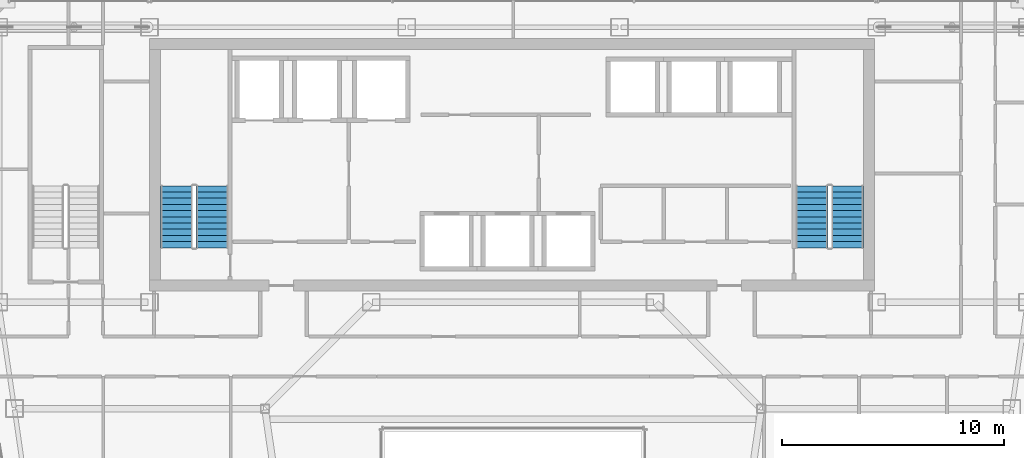
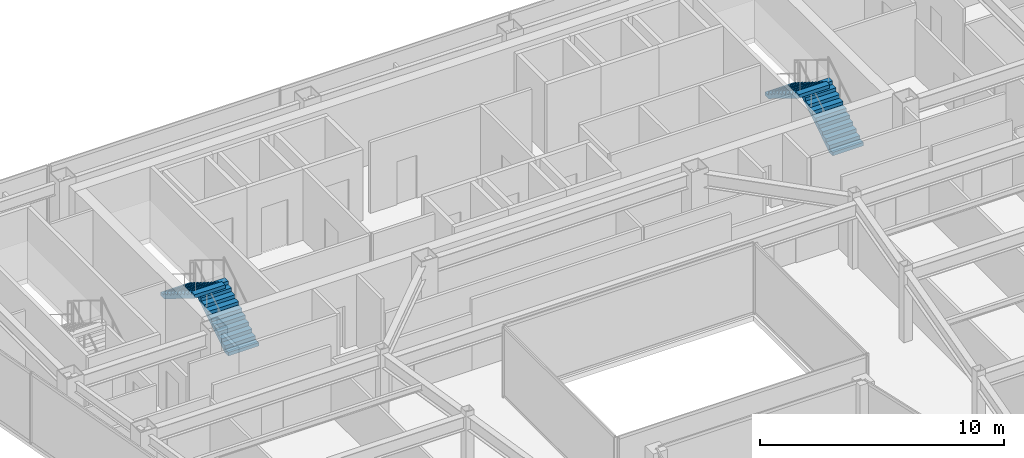
# One storey, part 33 of 36: 4 stair flights, 2 elements without a shape of their own.
"""IFC4 building model written with IfcOpenShell, lengths in metres."""

from ifc_helpers import new_model, si_unit, direction, frame, origin, place, context, subcontext, project, spatial, polyline, outline, extrude, material, type_object, element, aggregate, save


model = new_model("IFC4")

# Units and contexts
model_context = context("Model", 3, precision=1e-05, world=origin(), true_north=direction((0.0, 1.0)))
body_context = subcontext(model_context, "Body", "Model", "MODEL_VIEW")
ifc_project = project(units=[si_unit("LENGTHUNIT", "METRE"), si_unit("AREAUNIT", "SQUARE_METRE"), si_unit("VOLUMEUNIT", "CUBIC_METRE"), si_unit("PLANEANGLEUNIT", "RADIAN"), si_unit("MASSUNIT", "GRAM", prefix="KILO")], contexts=[model_context])

# Site, building, storey
site_placement = place(None, origin())
site = spatial("IfcSite", under=ifc_project, at=site_placement, CompositionType="ELEMENT")
building_placement = place(site_placement, origin())
building = spatial("IfcBuilding", under=site, at=building_placement, Name="Saevonmaru Cultural Tower", CompositionType="ELEMENT")
storey_placement = place(building_placement, frame((0.0, 0.0, 201.800048828125)))
storey = spatial("IfcBuildingStorey", under=building, at=storey_placement, Name="L46", CompositionType="ELEMENT", Elevation=201.800048828125)

# Stair, stair flights
ifc_material_1 = material(Name="Concrete C40/50", Category="concrete")
stair_type = type_object("IfcStairType", Name="STR-DOGLEG-RC", PredefinedType="HALF_TURN_STAIR", material=ifc_material_1)
stair_1_placement = place(storey_placement, origin())
stair_1 = element("IfcStair", 1, at=stair_1_placement, inside=storey, type_object=stair_type, Name="L46 Protected exit stair ST-1", PredefinedType="HALF_TURN_STAIR")
ifc_material_2 = material(Name="Precast concrete C40/50", Category="concrete")
stair_flight_type = type_object("IfcStairFlightType", Name="STF-PRECAST-180", PredefinedType="STRAIGHT", material=ifc_material_2)
stair_flight_1_placement = place(storey_placement, frame((16.425048828125, 44.85009765625, 0.0), z_axis=(0.0, 0.0, 1.0), x_axis=(0.0, 1.0, 0.0)))
stair_flight_1 = element("IfcStairFlight", 2, at=stair_flight_1_placement, type_object=stair_flight_type, Name="ST-1-L46 flight 1", NumberOfRisers=11, NumberOfTreads=10, PredefinedType="STRAIGHT", RiserHeight=0.172727273, TreadLength=0.28, context=body_context, shape_type="SweptSolid", body=[
    extrude(outline(polyline([(0.0, 0.0), (0.0, 0.172607421875), (0.280029296875, 0.172607421875), (0.280029296875, 0.345458984375), (0.56005859375, 0.345458984375), (0.56005859375, 0.51806640625), (0.840087890625, 0.51806640625), (0.840087890625, 0.69091796875), (1.1201171875, 0.69091796875), (1.1201171875, 0.863525390625), (1.39990234375, 0.863525390625), (1.39990234375, 1.036376953125), (1.679931640625, 1.036376953125), (1.679931640625, 1.208984375), (1.9599609375, 1.208984375), (1.9599609375, 1.3818359375), (2.239990234375, 1.3818359375), (2.239990234375, 1.554443359375), (2.52001953125, 1.554443359375), (2.52001953125, 1.727294921875), (2.800048828125, 1.727294921875), (2.800048828125, 1.89990234375), (2.800048828125, 1.551025390625), (0.285400390625, 0.0), (0.0, 0.0)])), frame((0.0, 0.72509765625, 0.0), z_axis=(0.0, -1.0, 0.0), x_axis=(1.0, 0.0, 0.0)), (0.0, 0.0, 1.0), 1.449951171875),
])
stair_flight_2_placement = place(storey_placement, frame((14.824951171875, 47.64990234375, 1.89990234375), z_axis=(0.0, 0.0, 1.0), x_axis=(0.0, -1.0, 0.0)))
stair_flight_2 = element("IfcStairFlight", 3, at=stair_flight_2_placement, type_object=stair_flight_type, Name="ST-1-L46 flight 2", NumberOfRisers=11, NumberOfTreads=10, PredefinedType="STRAIGHT", RiserHeight=0.172727273, TreadLength=0.28, context=body_context, shape_type="SweptSolid", body=[
    extrude(outline(polyline([(0.0, 0.0), (0.0, 0.172607421875), (0.280029296875, 0.172607421875), (0.280029296875, 0.345458984375), (0.56005859375, 0.345458984375), (0.56005859375, 0.51806640625), (0.840087890625, 0.51806640625), (0.840087890625, 0.69091796875), (1.1201171875, 0.69091796875), (1.1201171875, 0.863525390625), (1.39990234375, 0.863525390625), (1.39990234375, 1.036376953125), (1.679931640625, 1.036376953125), (1.679931640625, 1.208984375), (1.9599609375, 1.208984375), (1.9599609375, 1.3818359375), (2.239990234375, 1.3818359375), (2.239990234375, 1.554443359375), (2.52001953125, 1.554443359375), (2.52001953125, 1.727294921875), (2.800048828125, 1.727294921875), (2.800048828125, 1.89990234375), (2.800048828125, 1.551025390625), (0.285400390625, 0.0), (0.0, 0.0)])), frame((0.0, 0.72509765625, 0.0), z_axis=(0.0, -1.0, 0.0), x_axis=(1.0, 0.0, 0.0)), (0.0, 0.0, 1.0), 1.449951171875),
])
aggregate(stair_1, [stair_flight_1, stair_flight_2])

stair_2_placement = place(storey_placement, origin())
stair_2 = element("IfcStair", 4, at=stair_2_placement, inside=storey, type_object=stair_type, Name="L46 Protected exit stair ST-2", PredefinedType="HALF_TURN_STAIR")
stair_flight_3_placement = place(storey_placement, frame((45.074951171875, 44.85009765625, 0.0), z_axis=(0.0, 0.0, 1.0), x_axis=(0.0, 1.0, 0.0)))
stair_flight_3 = element("IfcStairFlight", 5, at=stair_flight_3_placement, type_object=stair_flight_type, Name="ST-2-L46 flight 1", NumberOfRisers=11, NumberOfTreads=10, PredefinedType="STRAIGHT", RiserHeight=0.172727273, TreadLength=0.28, context=body_context, shape_type="SweptSolid", body=[
    extrude(outline(polyline([(0.0, 0.0), (0.0, 0.172607421875), (0.280029296875, 0.172607421875), (0.280029296875, 0.345458984375), (0.56005859375, 0.345458984375), (0.56005859375, 0.51806640625), (0.840087890625, 0.51806640625), (0.840087890625, 0.69091796875), (1.1201171875, 0.69091796875), (1.1201171875, 0.863525390625), (1.39990234375, 0.863525390625), (1.39990234375, 1.036376953125), (1.679931640625, 1.036376953125), (1.679931640625, 1.208984375), (1.9599609375, 1.208984375), (1.9599609375, 1.3818359375), (2.239990234375, 1.3818359375), (2.239990234375, 1.554443359375), (2.52001953125, 1.554443359375), (2.52001953125, 1.727294921875), (2.800048828125, 1.727294921875), (2.800048828125, 1.89990234375), (2.800048828125, 1.551025390625), (0.285400390625, 0.0), (0.0, 0.0)])), frame((0.0, 0.72509765625, 0.0), z_axis=(0.0, -1.0, 0.0), x_axis=(1.0, 0.0, 0.0)), (0.0, 0.0, 1.0), 1.449951171875),
])
stair_flight_4_placement = place(storey_placement, frame((43.47509765625, 47.64990234375, 1.89990234375), z_axis=(0.0, 0.0, 1.0), x_axis=(0.0, -1.0, 0.0)))
stair_flight_4 = element("IfcStairFlight", 6, at=stair_flight_4_placement, type_object=stair_flight_type, Name="ST-2-L46 flight 2", NumberOfRisers=11, NumberOfTreads=10, PredefinedType="STRAIGHT", RiserHeight=0.172727273, TreadLength=0.28, context=body_context, shape_type="SweptSolid", body=[
    extrude(outline(polyline([(0.0, 0.0), (0.0, 0.172607421875), (0.280029296875, 0.172607421875), (0.280029296875, 0.345458984375), (0.56005859375, 0.345458984375), (0.56005859375, 0.51806640625), (0.840087890625, 0.51806640625), (0.840087890625, 0.69091796875), (1.1201171875, 0.69091796875), (1.1201171875, 0.863525390625), (1.39990234375, 0.863525390625), (1.39990234375, 1.036376953125), (1.679931640625, 1.036376953125), (1.679931640625, 1.208984375), (1.9599609375, 1.208984375), (1.9599609375, 1.3818359375), (2.239990234375, 1.3818359375), (2.239990234375, 1.554443359375), (2.52001953125, 1.554443359375), (2.52001953125, 1.727294921875), (2.800048828125, 1.727294921875), (2.800048828125, 1.89990234375), (2.800048828125, 1.551025390625), (0.285400390625, 0.0), (0.0, 0.0)])), frame((0.0, 0.72509765625, 0.0), z_axis=(0.0, -1.0, 0.0), x_axis=(1.0, 0.0, 0.0)), (0.0, 0.0, 1.0), 1.449951171875),
])
aggregate(stair_2, [stair_flight_3, stair_flight_4])

save(model, "model.ifc")
